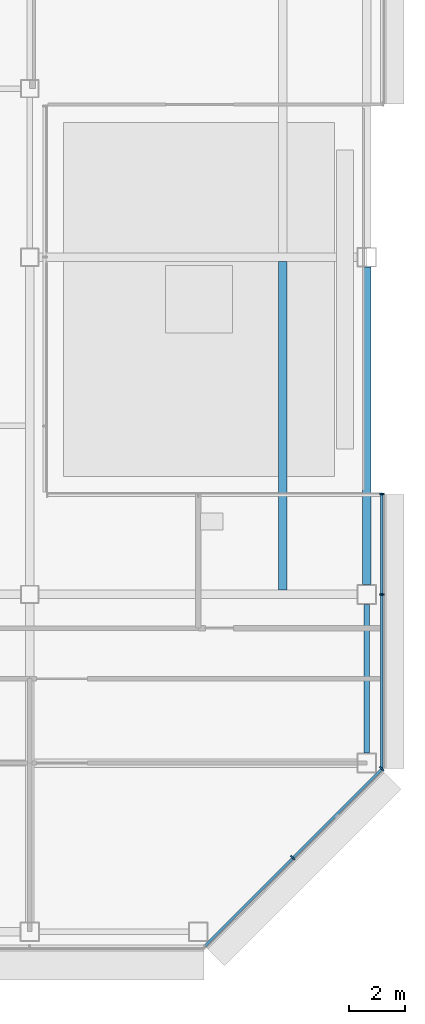
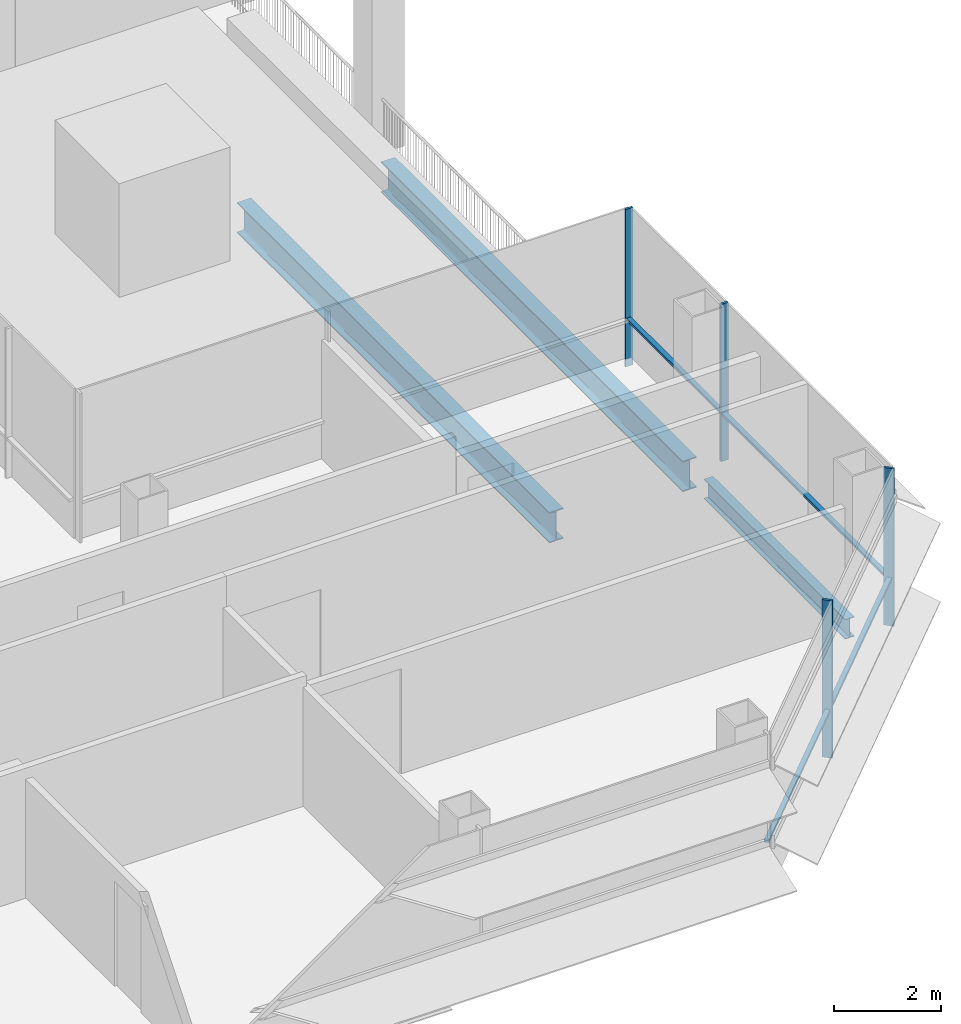
# One storey, part 16 of 27: 6 members, 3 beams, 2 elements without a shape of their own.
"""IFC4 building model written with IfcOpenShell, lengths in metres."""

from ifc_helpers import new_model, si_unit, direction, frame, origin, origin_2d, place, context, subcontext, project, spatial, rectangle, i_section, extrude, material, material_profile, profile_set, type_object, element, aggregate, save


model = new_model("IFC4")

# Units and contexts
model_context = context("Model", 3, precision=1e-05, world=origin(), true_north=direction((0.0, 1.0)))
body_context = subcontext(model_context, "Body", "Model", "MODEL_VIEW")
ifc_project = project(units=[si_unit("LENGTHUNIT", "METRE"), si_unit("AREAUNIT", "SQUARE_METRE"), si_unit("VOLUMEUNIT", "CUBIC_METRE"), si_unit("PLANEANGLEUNIT", "RADIAN"), si_unit("MASSUNIT", "GRAM", prefix="KILO")], contexts=[model_context])

# Site, building, storey
site_placement = place(None, origin())
site = spatial("IfcSite", under=ifc_project, at=site_placement, CompositionType="ELEMENT")
building_placement = place(site_placement, origin())
building = spatial("IfcBuilding", under=site, at=building_placement, Name="Sorahane Residences", CompositionType="ELEMENT")
storey_placement = place(building_placement, frame((0.0, 0.0, 167.199951171875)))
storey = spatial("IfcBuildingStorey", under=building, at=storey_placement, Name="L38", CompositionType="ELEMENT", Elevation=167.199951171875)

# Curtain wall, members
ifc_material_1 = material(Name="Dark low-e glass and black anodised aluminium", Category="aluminium")
curtain_wall_type_1 = type_object("IfcCurtainWallType", Name="Curtain wall CW-1 Typical unitised wall", PredefinedType="NOTDEFINED", material=ifc_material_1)
curtain_wall_1_placement = place(storey_placement, origin())
curtain_wall_1 = element("IfcCurtainWall", 1, at=curtain_wall_1_placement, inside=storey, type_object=curtain_wall_type_1, Name="CW-1 curtain wall L38 E1", PredefinedType="NOTDEFINED")
ifc_material_2 = material(Name="Black anodised aluminium", Category="aluminium")
ifc_material_profile_1 = material_profile(ifc_material_2, rectangle(XDim=0.159912109375, YDim=0.050048828125, at=origin_2d()), Name="Curtain wall mullion CW-1 black anodised aluminium 50x160")
ifc_profile_set_1 = profile_set([ifc_material_profile_1], Name="Black anodised aluminium")
member_type_1 = type_object("IfcMemberType", Name="Curtain wall mullion CW-1 black anodised aluminium 50x160", PredefinedType="MULLION", material=ifc_profile_set_1)
member_1_placement = place(storey_placement, frame((60.5400390625, 12.0, -0.179931640625), z_axis=(0.0, 0.0, 1.0), x_axis=(1.0, 0.0, 0.0)))
member_1 = element("IfcMember", 2, at=member_1_placement, type_object=member_type_1, Name="CW-1 mullion L38 E1.2", PredefinedType="MULLION", context=body_context, shape_type="SweptSolid", body=[
    extrude(rectangle(XDim=0.159912109375, YDim=0.050048828125, at=origin_2d()), origin(), (0.0, 0.0, 1.0), 3.60009765625),
])
member_2_placement = place(storey_placement, frame((60.5400390625, 15.574951171875, -0.179931640625), z_axis=(0.0, 0.0, 1.0), x_axis=(1.0, 0.0, 0.0)))
member_2 = element("IfcMember", 3, at=member_2_placement, type_object=member_type_1, Name="CW-1 mullion L38 E1.3", PredefinedType="MULLION", context=body_context, shape_type="SweptSolid", body=[
    extrude(rectangle(XDim=0.159912109375, YDim=0.050048828125, at=origin_2d()), origin(), (0.0, 0.0, 1.0), 3.60009765625),
])

ifc_material_3 = material(Name="Dark low-e glass and black anodised aluminium", Category="aluminium")
curtain_wall_type_2 = type_object("IfcCurtainWallType", Name="Curtain wall CW-2 Chamfer unitised wall", PredefinedType="NOTDEFINED", material=ifc_material_3)
curtain_wall_2_placement = place(storey_placement, origin())
curtain_wall_2 = element("IfcCurtainWall", 4, at=curtain_wall_2_placement, inside=storey, type_object=curtain_wall_type_2, Name="CW-2 curtain wall L38 SE1", PredefinedType="NOTDEFINED")
ifc_material_4 = material(Name="Black anodised aluminium", Category="aluminium")
ifc_material_profile_2 = material_profile(ifc_material_4, rectangle(XDim=0.199951171875, YDim=0.050048828125, at=origin_2d()), Name="Curtain wall mullion CW-2 black anodised aluminium 50x200")
ifc_profile_set_2 = profile_set([ifc_material_profile_2], Name="Black anodised aluminium")
member_type_2 = type_object("IfcMemberType", Name="Curtain wall mullion CW-2 black anodised aluminium 50x200", PredefinedType="MULLION", material=ifc_profile_set_2)
member_3_placement = place(storey_placement, frame((57.36767578125, 2.63232421875, -0.179931640625), z_axis=(0.0, 0.0, 1.0), x_axis=(0.707106781187, -0.707106781187, 0.0)))
member_3 = element("IfcMember", 5, at=member_3_placement, type_object=member_type_2, Name="CW-2 mullion L38 SE1.2", PredefinedType="MULLION", context=body_context, shape_type="SweptSolid", body=[
    extrude(rectangle(XDim=0.199951171875, YDim=0.050048828125, at=origin_2d()), origin(), (0.0, 0.0, 1.0), 3.60009765625),
])
member_4_placement = place(storey_placement, frame((60.525634765625, 5.790283203125, -0.179931640625), z_axis=(0.0, 0.0, 1.0), x_axis=(0.707106781187, -0.707106781187, 0.0)))
member_4 = element("IfcMember", 6, at=member_4_placement, type_object=member_type_2, Name="CW-2 mullion L38 SE1.3", PredefinedType="MULLION", context=body_context, shape_type="SweptSolid", body=[
    extrude(rectangle(XDim=0.199951171875, YDim=0.050048828125, at=origin_2d()), origin(), (0.0, 0.0, 1.0), 3.60009765625),
])

# Member
ifc_material_5 = material(Name="Black anodised aluminium", Category="aluminium")
ifc_material_profile_3 = material_profile(ifc_material_5, rectangle(XDim=0.10009765625, YDim=0.06005859375, at=origin_2d()), Name="Curtain wall transom CW-1 black anodised aluminium 60x100")
ifc_profile_set_3 = profile_set([ifc_material_profile_3], Name="Black anodised aluminium")
member_type_3 = type_object("IfcMemberType", Name="Curtain wall transom CW-1 black anodised aluminium 60x100", PredefinedType="USERDEFINED", material=ifc_profile_set_3)
member_5_placement = place(storey_placement, frame((60.530029296875, 5.801513671875, 0.900146484375), z_axis=(0.0, 1.0, 0.0), x_axis=(-1.0, 0.0, 0.0)))
member_5 = element("IfcMember", 7, at=member_5_placement, type_object=member_type_3, Name="CW-1 transom L38 E1", ObjectType="TRANSOM", PredefinedType="USERDEFINED", context=body_context, shape_type="SweptSolid", body=[
    extrude(rectangle(XDim=0.10009765625, YDim=0.06005859375, at=origin_2d()), origin(), (0.0, 0.0, 1.0), 9.74853515625),
])

aggregate(curtain_wall_1, [member_1, member_2, member_5])

ifc_material_6 = material(Name="Black anodised aluminium", Category="aluminium")
ifc_material_profile_4 = material_profile(ifc_material_6, rectangle(XDim=0.10009765625, YDim=0.06005859375, at=origin_2d()), Name="Curtain wall transom CW-2 black anodised aluminium 60x100")
ifc_profile_set_4 = profile_set([ifc_material_profile_4], Name="Black anodised aluminium")
member_type_4 = type_object("IfcMemberType", Name="Curtain wall transom CW-2 black anodised aluminium 60x100", PredefinedType="USERDEFINED", material=ifc_profile_set_4)
member_6_placement = place(storey_placement, frame((54.234375, -0.51513671875, 0.900146484375), z_axis=(0.707106781187, 0.707106781187, 0.0), x_axis=(-0.707106781187, 0.707106781187, 0.0)))
member_6 = element("IfcMember", 8, at=member_6_placement, type_object=member_type_4, Name="CW-2 transom L38 SE1", ObjectType="TRANSOM", PredefinedType="USERDEFINED", context=body_context, shape_type="SweptSolid", body=[
    extrude(rectangle(XDim=0.10009765625, YDim=0.06005859375, at=origin_2d()), origin(), (0.0, 0.0, 1.0), 8.88232421875),
])

aggregate(curtain_wall_2, [member_3, member_4, member_6])

# Beams
ifc_material_7 = material(Name="Steel Q355B", Category="steel")
ifc_material_profile_5 = material_profile(ifc_material_7, i_section(OverallWidth=0.199951171875, OverallDepth=0.449951171875, WebThickness=0.009033203125, FlangeThickness=0.013916015625, FilletRadius=0.02001953125, at=origin_2d()), Name="HN 450x200x9x14")
ifc_profile_set_5 = profile_set([ifc_material_profile_5], Name="Steel Q355B")
beam_type_1 = type_object("IfcBeamType", Name="Steel floor beam HN 450x200x9x14 Q355B", PredefinedType="BEAM", material=ifc_profile_set_5)
beam_1_placement = place(storey_placement, frame((60.0, 6.35009765625, -0.405029296875), z_axis=(0.0, 1.0, 0.0), x_axis=(-1.0, 0.0, 0.0)))
element("IfcBeam", 9, at=beam_1_placement, inside=storey, type_object=beam_type_1, Name="Beam L38 064", PredefinedType="BEAM", context=body_context, shape_type="SweptSolid", body=[
    extrude(i_section(OverallWidth=0.199951171875, OverallDepth=0.449951171875, WebThickness=0.009033203125, FlangeThickness=0.013916015625, FilletRadius=0.02001953125, at=origin_2d()), origin(), (0.0, 0.0, 1.0), 5.2998046875),
])
ifc_material_8 = material(Name="Steel Q355B", Category="steel")
ifc_material_profile_6 = material_profile(ifc_material_8, i_section(OverallWidth=0.300048828125, OverallDepth=0.699951171875, WebThickness=0.012939453125, FlangeThickness=0.02392578125, FilletRadius=0.028076171875, at=origin_2d()), Name="HN 700x300x13x24")
ifc_profile_set_6 = profile_set([ifc_material_profile_6], Name="Steel Q355B")
beam_type_2 = type_object("IfcBeamType", Name="Steel floor beam HN 700x300x13x24 Q355B", PredefinedType="BEAM", material=ifc_profile_set_6)
beam_2_placement = place(storey_placement, frame((57.0, 12.150146484375, -0.530029296875), z_axis=(0.0, 1.0, 0.0), x_axis=(-1.0, 0.0, 0.0)))
element("IfcBeam", 10, at=beam_2_placement, inside=storey, type_object=beam_type_2, Name="Beam L38 089", PredefinedType="BEAM", context=body_context, shape_type="SweptSolid", body=[
    extrude(i_section(OverallWidth=0.300048828125, OverallDepth=0.699951171875, WebThickness=0.012939453125, FlangeThickness=0.02392578125, FilletRadius=0.028076171875, at=origin_2d()), origin(), (0.0, 0.0, 1.0), 11.69970703125),
])
beam_3_placement = place(storey_placement, frame((60.0, 12.35009765625, -0.530029296875), z_axis=(0.0, 1.0, 0.0), x_axis=(-1.0, 0.0, 0.0)))
element("IfcBeam", 11, at=beam_3_placement, inside=storey, type_object=beam_type_2, Name="Terrace edge beam", PredefinedType="BEAM", context=body_context, shape_type="SweptSolid", body=[
    extrude(i_section(OverallWidth=0.300048828125, OverallDepth=0.699951171875, WebThickness=0.012939453125, FlangeThickness=0.02392578125, FilletRadius=0.028076171875, at=origin_2d()), origin(), (0.0, 0.0, 1.0), 11.2998046875),
])

save(model, "model.ifc")
